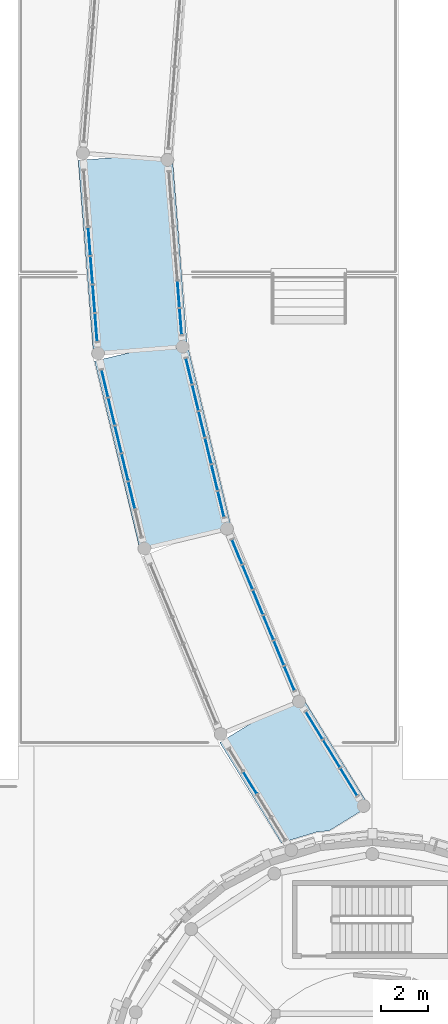
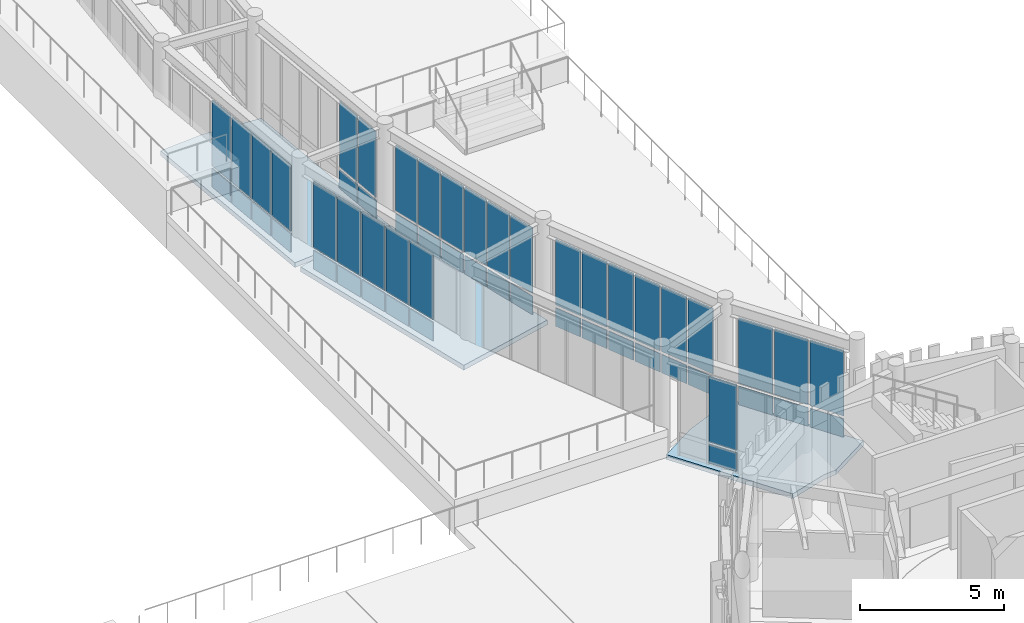
# One storey, part 41 of 94: 54 plates, 3 slabs, 7 elements without a shape of their own.
"""IFC4 building model written with IfcOpenShell, lengths in metres."""

from ifc_helpers import new_model, si_unit, direction, frame, origin, origin_2d, place, context, subcontext, project, spatial, polyline, rectangle, outline, extrude, material, layer, layer_set, type_object, element, aggregate, save


model = new_model("IFC4")

# Units and contexts
model_context = context("Model", 3, precision=1e-05, world=origin(), true_north=direction((0.0, 1.0)))
body_context = subcontext(model_context, "Body", "Model", "MODEL_VIEW")
ifc_project = project(units=[si_unit("LENGTHUNIT", "METRE"), si_unit("AREAUNIT", "SQUARE_METRE"), si_unit("VOLUMEUNIT", "CUBIC_METRE"), si_unit("PLANEANGLEUNIT", "RADIAN"), si_unit("MASSUNIT", "GRAM", prefix="KILO")], contexts=[model_context])

# Site, building, storey
site_placement = place(None, origin())
site = spatial("IfcSite", under=ifc_project, at=site_placement, CompositionType="ELEMENT")
building_placement = place(site_placement, origin())
building = spatial("IfcBuilding", under=site, at=building_placement, Name="Aldenvaro Health Centre", CompositionType="ELEMENT")
storey_placement = place(building_placement, origin())
storey = spatial("IfcBuildingStorey", under=building, at=storey_placement, Name="L00", CompositionType="ELEMENT", Elevation=0.0)

# Curtain wall, plates
ifc_material_1 = material(Name="Anodised Aluminium 6063-T6", Category="aluminium")
ifc_layer_1 = layer(ifc_material_1, 0.2099609375, Name="Anodised Aluminium 6063-T6", Category="aluminium")
ifc_layer_set_1 = layer_set([ifc_layer_1], Name="Anodised Aluminium 6063-T6")
curtain_wall_type = type_object("IfcCurtainWallType", Name="CW-BRG-03", PredefinedType="NOTDEFINED", material=ifc_layer_set_1)
curtain_wall_1_placement = place(storey_placement, origin())
curtain_wall_1 = element("IfcCurtainWall", 1, at=curtain_wall_1_placement, inside=storey, type_object=curtain_wall_type, Name="East Curved Garden Colonnade Arc 5 L00 glazed link wall L-1.1", PredefinedType="NOTDEFINED")
ifc_material_2 = material(Name="Low-E Double Glazing IGU", Category="glass")
ifc_layer_2 = layer(ifc_material_2, 0.028076171875, Name="Low-E Double Glazing IGU", Category="glass")
ifc_layer_set_2 = layer_set([ifc_layer_2], Name="Low-E Double Glazing IGU")
plate_type_1 = type_object("IfcPlateType", Name="CWP-IGU-28", PredefinedType="CURTAIN_PANEL", material=ifc_layer_set_2)
plate_1_placement = place(storey_placement, frame((146.264892578125, 53.157958984375, 0.96044921875), z_axis=(0.0, 0.0, 1.0), x_axis=(0.078496068737, -0.996914423204, 0.0)))
plate_1 = element("IfcPlate", 2, at=plate_1_placement, type_object=plate_type_1, Name="East Curved Garden Colonnade Arc 5 L00 glazed link wall L-1.1 vision glazing 5", PredefinedType="CURTAIN_PANEL", context=body_context, shape_type="SweptSolid", body=[
    extrude(rectangle(XDim=1.091064453125, YDim=0.028076171875, at=origin_2d()), origin(), (0.0, 0.0, 1.0), 2.784912109375),
])
plate_2_placement = place(storey_placement, frame((146.35595703125, 52.0, 0.96044921875), z_axis=(0.0, 0.0, 1.0), x_axis=(0.078496068737, -0.996914423204, 0.0)))
plate_2 = element("IfcPlate", 3, at=plate_2_placement, type_object=plate_type_1, Name="East Curved Garden Colonnade Arc 5 L00 glazed link wall L-1.1 vision glazing 6", PredefinedType="CURTAIN_PANEL", context=body_context, shape_type="SweptSolid", body=[
    extrude(rectangle(XDim=1.091064453125, YDim=0.028076171875, at=origin_2d()), origin(), (0.0, 0.0, 1.0), 2.784912109375),
])

curtain_wall_2_placement = place(storey_placement, origin())
curtain_wall_2 = element("IfcCurtainWall", 4, at=curtain_wall_2_placement, inside=storey, type_object=curtain_wall_type, Name="East Curved Garden Colonnade Arc 5 L00 glazed link wall R-1.1", PredefinedType="NOTDEFINED")
plate_3_placement = place(storey_placement, frame((142.47802734375, 55.39794921875, 0.96044921875), z_axis=(0.0, 0.0, 1.0), x_axis=(0.078513219666, -0.996913072608, 0.0)))
plate_3 = element("IfcPlate", 5, at=plate_3_placement, type_object=plate_type_1, Name="East Curved Garden Colonnade Arc 5 L00 glazed link wall R-1.1 vision glazing 3", PredefinedType="CURTAIN_PANEL", context=body_context, shape_type="SweptSolid", body=[
    extrude(rectangle(XDim=1.15087890625, YDim=0.028076171875, at=origin_2d()), origin(), (0.0, 0.0, 1.0), 2.784912109375),
])
plate_4_placement = place(storey_placement, frame((142.572998046875, 54.180908203125, 0.96044921875), z_axis=(0.0, 0.0, 1.0), x_axis=(0.078513219666, -0.996913072608, 0.0)))
plate_4 = element("IfcPlate", 6, at=plate_4_placement, type_object=plate_type_1, Name="East Curved Garden Colonnade Arc 5 L00 glazed link wall R-1.1 vision glazing 4", PredefinedType="CURTAIN_PANEL", context=body_context, shape_type="SweptSolid", body=[
    extrude(rectangle(XDim=1.15087890625, YDim=0.028076171875, at=origin_2d()), origin(), (0.0, 0.0, 1.0), 2.784912109375),
])
plate_5_placement = place(storey_placement, frame((142.6689453125, 52.964111328125, 0.96044921875), z_axis=(0.0, 0.0, 1.0), x_axis=(0.078513219666, -0.996913072608, 0.0)))
plate_5 = element("IfcPlate", 7, at=plate_5_placement, type_object=plate_type_1, Name="East Curved Garden Colonnade Arc 5 L00 glazed link wall R-1.1 vision glazing 5", PredefinedType="CURTAIN_PANEL", context=body_context, shape_type="SweptSolid", body=[
    extrude(rectangle(XDim=1.15087890625, YDim=0.028076171875, at=origin_2d()), origin(), (0.0, 0.0, 1.0), 2.784912109375),
])
plate_6_placement = place(storey_placement, frame((142.764892578125, 51.7470703125, 0.96044921875), z_axis=(0.0, 0.0, 1.0), x_axis=(0.078513219666, -0.996913072608, 0.0)))
plate_6 = element("IfcPlate", 8, at=plate_6_placement, type_object=plate_type_1, Name="East Curved Garden Colonnade Arc 5 L00 glazed link wall R-1.1 vision glazing 6", PredefinedType="CURTAIN_PANEL", context=body_context, shape_type="SweptSolid", body=[
    extrude(rectangle(XDim=1.15087890625, YDim=0.028076171875, at=origin_2d()), origin(), (0.0, 0.0, 1.0), 2.784912109375),
])

curtain_wall_3_placement = place(storey_placement, origin())
curtain_wall_3 = element("IfcCurtainWall", 9, at=curtain_wall_3_placement, inside=storey, type_object=curtain_wall_type, Name="East Curved Garden Colonnade Arc 6 L00 glazed link wall L-1.1", PredefinedType="NOTDEFINED")
plate_7_placement = place(storey_placement, frame((146.712890625, 49.887939453125, 0.96044921875), z_axis=(0.0, 0.0, 1.0), x_axis=(0.233644343129, -0.972322128167, 0.0)))
plate_7 = element("IfcPlate", 10, at=plate_7_placement, type_object=plate_type_1, Name="East Curved Garden Colonnade Arc 6 L00 glazed link wall L-1.1 vision glazing 1", PredefinedType="CURTAIN_PANEL", context=body_context, shape_type="SweptSolid", body=[
    extrude(rectangle(XDim=1.091064453125, YDim=0.028076171875, at=origin_2d()), origin(), (0.0, 0.0, 1.0), 2.784912109375),
])
plate_8_placement = place(storey_placement, frame((146.98388671875, 48.759033203125, 0.96044921875), z_axis=(0.0, 0.0, 1.0), x_axis=(0.233644343129, -0.972322128167, 0.0)))
plate_8 = element("IfcPlate", 11, at=plate_8_placement, type_object=plate_type_1, Name="East Curved Garden Colonnade Arc 6 L00 glazed link wall L-1.1 vision glazing 2", PredefinedType="CURTAIN_PANEL", context=body_context, shape_type="SweptSolid", body=[
    extrude(rectangle(XDim=1.091064453125, YDim=0.028076171875, at=origin_2d()), origin(), (0.0, 0.0, 1.0), 2.784912109375),
])
plate_9_placement = place(storey_placement, frame((147.2548828125, 47.6298828125, 0.96044921875), z_axis=(0.0, 0.0, 1.0), x_axis=(0.233644343129, -0.972322128167, 0.0)))
plate_9 = element("IfcPlate", 12, at=plate_9_placement, type_object=plate_type_1, Name="East Curved Garden Colonnade Arc 6 L00 glazed link wall L-1.1 vision glazing 3", PredefinedType="CURTAIN_PANEL", context=body_context, shape_type="SweptSolid", body=[
    extrude(rectangle(XDim=1.091064453125, YDim=0.028076171875, at=origin_2d()), origin(), (0.0, 0.0, 1.0), 2.784912109375),
])
plate_10_placement = place(storey_placement, frame((147.527099609375, 46.5009765625, 0.96044921875), z_axis=(0.0, 0.0, 1.0), x_axis=(0.233644343129, -0.972322128167, 0.0)))
plate_10 = element("IfcPlate", 13, at=plate_10_placement, type_object=plate_type_1, Name="East Curved Garden Colonnade Arc 6 L00 glazed link wall L-1.1 vision glazing 4", PredefinedType="CURTAIN_PANEL", context=body_context, shape_type="SweptSolid", body=[
    extrude(rectangle(XDim=1.091064453125, YDim=0.028076171875, at=origin_2d()), origin(), (0.0, 0.0, 1.0), 2.784912109375),
])
plate_11_placement = place(storey_placement, frame((147.798095703125, 45.3720703125, 0.96044921875), z_axis=(0.0, 0.0, 1.0), x_axis=(0.233644343129, -0.972322128167, 0.0)))
plate_11 = element("IfcPlate", 14, at=plate_11_placement, type_object=plate_type_1, Name="East Curved Garden Colonnade Arc 6 L00 glazed link wall L-1.1 vision glazing 5", PredefinedType="CURTAIN_PANEL", context=body_context, shape_type="SweptSolid", body=[
    extrude(rectangle(XDim=1.091064453125, YDim=0.028076171875, at=origin_2d()), origin(), (0.0, 0.0, 1.0), 2.784912109375),
])
plate_12_placement = place(storey_placement, frame((148.069091796875, 44.242919921875, 0.96044921875), z_axis=(0.0, 0.0, 1.0), x_axis=(0.233644343129, -0.972322128167, 0.0)))
plate_12 = element("IfcPlate", 15, at=plate_12_placement, type_object=plate_type_1, Name="East Curved Garden Colonnade Arc 6 L00 glazed link wall L-1.1 vision glazing 6", PredefinedType="CURTAIN_PANEL", context=body_context, shape_type="SweptSolid", body=[
    extrude(rectangle(XDim=1.091064453125, YDim=0.028076171875, at=origin_2d()), origin(), (0.0, 0.0, 1.0), 2.784912109375),
])

curtain_wall_4_placement = place(storey_placement, origin())
curtain_wall_4 = element("IfcCurtainWall", 16, at=curtain_wall_4_placement, inside=storey, type_object=curtain_wall_type, Name="East Curved Garden Colonnade Arc 6 L00 glazed link wall R-1.1", PredefinedType="NOTDEFINED")
plate_13_placement = place(storey_placement, frame((143.136962890625, 49.364990234375, 0.96044921875), z_axis=(0.0, 0.0, 1.0), x_axis=(0.233527903395, -0.972350100702, 0.0)))
plate_13 = element("IfcPlate", 17, at=plate_13_placement, type_object=plate_type_1, Name="East Curved Garden Colonnade Arc 6 L00 glazed link wall R-1.1 vision glazing 1", PredefinedType="CURTAIN_PANEL", context=body_context, shape_type="SweptSolid", body=[
    extrude(rectangle(XDim=1.14990234375, YDim=0.028076171875, at=origin_2d()), origin(), (0.0, 0.0, 1.0), 2.784912109375),
])
plate_14_placement = place(storey_placement, frame((143.422119140625, 48.177978515625, 0.96044921875), z_axis=(0.0, 0.0, 1.0), x_axis=(0.233527903395, -0.972350100702, 0.0)))
plate_14 = element("IfcPlate", 18, at=plate_14_placement, type_object=plate_type_1, Name="East Curved Garden Colonnade Arc 6 L00 glazed link wall R-1.1 vision glazing 2", PredefinedType="CURTAIN_PANEL", context=body_context, shape_type="SweptSolid", body=[
    extrude(rectangle(XDim=1.14990234375, YDim=0.028076171875, at=origin_2d()), origin(), (0.0, 0.0, 1.0), 2.784912109375),
])
plate_15_placement = place(storey_placement, frame((143.70703125, 46.990966796875, 0.96044921875), z_axis=(0.0, 0.0, 1.0), x_axis=(0.233527903395, -0.972350100702, 0.0)))
plate_15 = element("IfcPlate", 19, at=plate_15_placement, type_object=plate_type_1, Name="East Curved Garden Colonnade Arc 6 L00 glazed link wall R-1.1 vision glazing 3", PredefinedType="CURTAIN_PANEL", context=body_context, shape_type="SweptSolid", body=[
    extrude(rectangle(XDim=1.14990234375, YDim=0.028076171875, at=origin_2d()), origin(), (0.0, 0.0, 1.0), 2.784912109375),
])
plate_16_placement = place(storey_placement, frame((143.991943359375, 45.804931640625, 0.96044921875), z_axis=(0.0, 0.0, 1.0), x_axis=(0.233527903395, -0.972350100702, 0.0)))
plate_16 = element("IfcPlate", 20, at=plate_16_placement, type_object=plate_type_1, Name="East Curved Garden Colonnade Arc 6 L00 glazed link wall R-1.1 vision glazing 4", PredefinedType="CURTAIN_PANEL", context=body_context, shape_type="SweptSolid", body=[
    extrude(rectangle(XDim=1.14990234375, YDim=0.028076171875, at=origin_2d()), origin(), (0.0, 0.0, 1.0), 2.784912109375),
])
plate_17_placement = place(storey_placement, frame((144.27587890625, 44.617919921875, 0.96044921875), z_axis=(0.0, 0.0, 1.0), x_axis=(0.233527903395, -0.972350100702, 0.0)))
plate_17 = element("IfcPlate", 21, at=plate_17_placement, type_object=plate_type_1, Name="East Curved Garden Colonnade Arc 6 L00 glazed link wall R-1.1 vision glazing 5", PredefinedType="CURTAIN_PANEL", context=body_context, shape_type="SweptSolid", body=[
    extrude(rectangle(XDim=1.14990234375, YDim=0.028076171875, at=origin_2d()), origin(), (0.0, 0.0, 1.0), 2.784912109375),
])

curtain_wall_5_placement = place(storey_placement, origin())
curtain_wall_5 = element("IfcCurtainWall", 22, at=curtain_wall_5_placement, inside=storey, type_object=curtain_wall_type, Name="East Curved Garden Colonnade Arc 7 L00 glazed link wall L-1.1", PredefinedType="NOTDEFINED")
plate_18_placement = place(storey_placement, frame((148.751953125, 42.212890625, 0.96044921875), z_axis=(0.0, 0.0, 1.0), x_axis=(0.382596838462, -0.923915396126, 0.0)))
plate_18 = element("IfcPlate", 23, at=plate_18_placement, type_object=plate_type_1, Name="East Curved Garden Colonnade Arc 7 L00 glazed link wall L-1.1 vision glazing 1", PredefinedType="CURTAIN_PANEL", context=body_context, shape_type="SweptSolid", body=[
    extrude(rectangle(XDim=1.091064453125, YDim=0.028076171875, at=origin_2d()), origin(), (0.0, 0.0, 1.0), 2.784912109375),
])
plate_19_placement = place(storey_placement, frame((149.197021484375, 41.138916015625, 0.96044921875), z_axis=(0.0, 0.0, 1.0), x_axis=(0.382596838462, -0.923915396126, 0.0)))
plate_19 = element("IfcPlate", 24, at=plate_19_placement, type_object=plate_type_1, Name="East Curved Garden Colonnade Arc 7 L00 glazed link wall L-1.1 vision glazing 2", PredefinedType="CURTAIN_PANEL", context=body_context, shape_type="SweptSolid", body=[
    extrude(rectangle(XDim=1.091064453125, YDim=0.028076171875, at=origin_2d()), origin(), (0.0, 0.0, 1.0), 2.784912109375),
])
plate_20_placement = place(storey_placement, frame((149.64111328125, 40.06689453125, 0.96044921875), z_axis=(0.0, 0.0, 1.0), x_axis=(0.382596838462, -0.923915396126, 0.0)))
plate_20 = element("IfcPlate", 25, at=plate_20_placement, type_object=plate_type_1, Name="East Curved Garden Colonnade Arc 7 L00 glazed link wall L-1.1 vision glazing 3", PredefinedType="CURTAIN_PANEL", context=body_context, shape_type="SweptSolid", body=[
    extrude(rectangle(XDim=1.091064453125, YDim=0.028076171875, at=origin_2d()), origin(), (0.0, 0.0, 1.0), 2.784912109375),
])
plate_21_placement = place(storey_placement, frame((150.0849609375, 38.992919921875, 0.96044921875), z_axis=(0.0, 0.0, 1.0), x_axis=(0.382596838462, -0.923915396126, 0.0)))
plate_21 = element("IfcPlate", 26, at=plate_21_placement, type_object=plate_type_1, Name="East Curved Garden Colonnade Arc 7 L00 glazed link wall L-1.1 vision glazing 4", PredefinedType="CURTAIN_PANEL", context=body_context, shape_type="SweptSolid", body=[
    extrude(rectangle(XDim=1.091064453125, YDim=0.028076171875, at=origin_2d()), origin(), (0.0, 0.0, 1.0), 2.784912109375),
])
plate_22_placement = place(storey_placement, frame((150.529052734375, 37.9208984375, 0.96044921875), z_axis=(0.0, 0.0, 1.0), x_axis=(0.382596838462, -0.923915396126, 0.0)))
plate_22 = element("IfcPlate", 27, at=plate_22_placement, type_object=plate_type_1, Name="East Curved Garden Colonnade Arc 7 L00 glazed link wall L-1.1 vision glazing 5", PredefinedType="CURTAIN_PANEL", context=body_context, shape_type="SweptSolid", body=[
    extrude(rectangle(XDim=1.091064453125, YDim=0.028076171875, at=origin_2d()), origin(), (0.0, 0.0, 1.0), 2.784912109375),
])
plate_23_placement = place(storey_placement, frame((150.97412109375, 36.846923828125, 0.96044921875), z_axis=(0.0, 0.0, 1.0), x_axis=(0.382596838462, -0.923915396126, 0.0)))
plate_23 = element("IfcPlate", 28, at=plate_23_placement, type_object=plate_type_1, Name="East Curved Garden Colonnade Arc 7 L00 glazed link wall L-1.1 vision glazing 6", PredefinedType="CURTAIN_PANEL", context=body_context, shape_type="SweptSolid", body=[
    extrude(rectangle(XDim=1.091064453125, YDim=0.028076171875, at=origin_2d()), origin(), (0.0, 0.0, 1.0), 2.784912109375),
])

curtain_wall_6_placement = place(storey_placement, origin())
curtain_wall_6 = element("IfcCurtainWall", 29, at=curtain_wall_6_placement, inside=storey, type_object=curtain_wall_type, Name="East Curved Garden Colonnade Arc 8 L00 glazed link wall L-1.1", PredefinedType="NOTDEFINED")
plate_24_placement = place(storey_placement, frame((152.030029296875, 34.844970703125, 0.96044921875), z_axis=(0.0, 0.0, 1.0), x_axis=(0.522628751784, -0.852560371944, 0.0)))
plate_24 = element("IfcPlate", 30, at=plate_24_placement, type_object=plate_type_1, Name="East Curved Garden Colonnade Arc 8 L00 glazed link wall L-1.1 vision glazing 1", PredefinedType="CURTAIN_PANEL", context=body_context, shape_type="SweptSolid", body=[
    extrude(rectangle(XDim=1.3359375, YDim=0.028076171875, at=origin_2d()), origin(), (0.0, 0.0, 1.0), 2.784912109375),
])
plate_25_placement = place(storey_placement, frame((152.763916015625, 33.64501953125, 0.96044921875), z_axis=(0.0, 0.0, 1.0), x_axis=(0.522628751784, -0.852560371944, 0.0)))
plate_25 = element("IfcPlate", 31, at=plate_25_placement, type_object=plate_type_1, Name="East Curved Garden Colonnade Arc 8 L00 glazed link wall L-1.1 vision glazing 2", PredefinedType="CURTAIN_PANEL", context=body_context, shape_type="SweptSolid", body=[
    extrude(rectangle(XDim=1.3359375, YDim=0.028076171875, at=origin_2d()), origin(), (0.0, 0.0, 1.0), 2.784912109375),
])
plate_26_placement = place(storey_placement, frame((153.4990234375, 32.447021484375, 0.96044921875), z_axis=(0.0, 0.0, 1.0), x_axis=(0.522628751784, -0.852560371944, 0.0)))
plate_26 = element("IfcPlate", 32, at=plate_26_placement, type_object=plate_type_1, Name="East Curved Garden Colonnade Arc 8 L00 glazed link wall L-1.1 vision glazing 3", PredefinedType="CURTAIN_PANEL", context=body_context, shape_type="SweptSolid", body=[
    extrude(rectangle(XDim=1.3359375, YDim=0.028076171875, at=origin_2d()), origin(), (0.0, 0.0, 1.0), 2.784912109375),
])

# Curtain wall, plate
curtain_wall_7_placement = place(storey_placement, origin())
curtain_wall_7 = element("IfcCurtainWall", 33, at=curtain_wall_7_placement, inside=storey, type_object=curtain_wall_type, Name="East Curved Garden Colonnade Arc 8 L00 glazed link wall R-1.1", PredefinedType="NOTDEFINED")
plate_27_placement = place(storey_placement, frame((149.303955078125, 32.404052734375, 0.96044921875), z_axis=(0.0, 0.0, 1.0), x_axis=(0.522669699607, -0.852535269131, 0.0)))
plate_27 = element("IfcPlate", 34, at=plate_27_placement, type_object=plate_type_1, Name="East Curved Garden Colonnade Arc 8 L00 glazed link wall R-1.1 vision glazing 2", PredefinedType="CURTAIN_PANEL", context=body_context, shape_type="SweptSolid", body=[
    extrude(rectangle(XDim=1.073974609375, YDim=0.028076171875, at=origin_2d()), origin(), (0.0, 0.0, 1.0), 2.784912109375),
])

# Plate
ifc_material_3 = material(Name="Insulated Aluminium Spandrel", Category="aluminium")
ifc_layer_3 = layer(ifc_material_3, 0.035888671875, Name="Insulated Aluminium Spandrel", Category="aluminium")
ifc_layer_set_3 = layer_set([ifc_layer_3], Name="Insulated Aluminium Spandrel")
plate_type_2 = type_object("IfcPlateType", Name="CWP-SPN-36", PredefinedType="CURTAIN_PANEL", material=ifc_layer_set_3)
plate_28_placement = place(storey_placement, frame((146.264892578125, 53.157958984375, 0.06005859375), z_axis=(0.0, 0.0, 1.0), x_axis=(0.078496068737, -0.996914423204, 0.0)))
plate_28 = element("IfcPlate", 35, at=plate_28_placement, type_object=plate_type_2, Name="East Curved Garden Colonnade Arc 5 L00 glazed link wall L-1.1 spandrel panel 5", PredefinedType="CURTAIN_PANEL", context=body_context, shape_type="SweptSolid", body=[
    extrude(rectangle(XDim=1.091064453125, YDim=0.035888671875, at=origin_2d()), origin(), (0.0, 0.0, 1.0), 0.780029296875),
])

plate_29_placement = place(storey_placement, frame((146.35595703125, 52.0, 0.06005859375), z_axis=(0.0, 0.0, 1.0), x_axis=(0.078496068737, -0.996914423204, 0.0)))
plate_29 = element("IfcPlate", 36, at=plate_29_placement, type_object=plate_type_2, Name="East Curved Garden Colonnade Arc 5 L00 glazed link wall L-1.1 spandrel panel 6", PredefinedType="CURTAIN_PANEL", context=body_context, shape_type="SweptSolid", body=[
    extrude(rectangle(XDim=1.091064453125, YDim=0.035888671875, at=origin_2d()), origin(), (0.0, 0.0, 1.0), 0.780029296875),
])

aggregate(curtain_wall_1, [plate_28, plate_1, plate_29, plate_2])

plate_30_placement = place(storey_placement, frame((142.47802734375, 55.39794921875, 0.06005859375), z_axis=(0.0, 0.0, 1.0), x_axis=(0.078513219666, -0.996913072608, 0.0)))
plate_30 = element("IfcPlate", 37, at=plate_30_placement, type_object=plate_type_2, Name="East Curved Garden Colonnade Arc 5 L00 glazed link wall R-1.1 spandrel panel 3", PredefinedType="CURTAIN_PANEL", context=body_context, shape_type="SweptSolid", body=[
    extrude(rectangle(XDim=1.15087890625, YDim=0.035888671875, at=origin_2d()), origin(), (0.0, 0.0, 1.0), 0.780029296875),
])

plate_31_placement = place(storey_placement, frame((142.572998046875, 54.180908203125, 0.06005859375), z_axis=(0.0, 0.0, 1.0), x_axis=(0.078513219666, -0.996913072608, 0.0)))
plate_31 = element("IfcPlate", 38, at=plate_31_placement, type_object=plate_type_2, Name="East Curved Garden Colonnade Arc 5 L00 glazed link wall R-1.1 spandrel panel 4", PredefinedType="CURTAIN_PANEL", context=body_context, shape_type="SweptSolid", body=[
    extrude(rectangle(XDim=1.15087890625, YDim=0.035888671875, at=origin_2d()), origin(), (0.0, 0.0, 1.0), 0.780029296875),
])

plate_32_placement = place(storey_placement, frame((142.6689453125, 52.964111328125, 0.06005859375), z_axis=(0.0, 0.0, 1.0), x_axis=(0.078513219666, -0.996913072608, 0.0)))
plate_32 = element("IfcPlate", 39, at=plate_32_placement, type_object=plate_type_2, Name="East Curved Garden Colonnade Arc 5 L00 glazed link wall R-1.1 spandrel panel 5", PredefinedType="CURTAIN_PANEL", context=body_context, shape_type="SweptSolid", body=[
    extrude(rectangle(XDim=1.15087890625, YDim=0.035888671875, at=origin_2d()), origin(), (0.0, 0.0, 1.0), 0.780029296875),
])

plate_33_placement = place(storey_placement, frame((142.764892578125, 51.7470703125, 0.06005859375), z_axis=(0.0, 0.0, 1.0), x_axis=(0.078513219666, -0.996913072608, 0.0)))
plate_33 = element("IfcPlate", 40, at=plate_33_placement, type_object=plate_type_2, Name="East Curved Garden Colonnade Arc 5 L00 glazed link wall R-1.1 spandrel panel 6", PredefinedType="CURTAIN_PANEL", context=body_context, shape_type="SweptSolid", body=[
    extrude(rectangle(XDim=1.15087890625, YDim=0.035888671875, at=origin_2d()), origin(), (0.0, 0.0, 1.0), 0.780029296875),
])

aggregate(curtain_wall_2, [plate_30, plate_3, plate_31, plate_4, plate_32, plate_5, plate_33, plate_6])

plate_34_placement = place(storey_placement, frame((146.712890625, 49.887939453125, 0.06005859375), z_axis=(0.0, 0.0, 1.0), x_axis=(0.233644343129, -0.972322128167, 0.0)))
plate_34 = element("IfcPlate", 41, at=plate_34_placement, type_object=plate_type_2, Name="East Curved Garden Colonnade Arc 6 L00 glazed link wall L-1.1 spandrel panel 1", PredefinedType="CURTAIN_PANEL", context=body_context, shape_type="SweptSolid", body=[
    extrude(rectangle(XDim=1.091064453125, YDim=0.035888671875, at=origin_2d()), origin(), (0.0, 0.0, 1.0), 0.780029296875),
])

plate_35_placement = place(storey_placement, frame((146.98388671875, 48.759033203125, 0.06005859375), z_axis=(0.0, 0.0, 1.0), x_axis=(0.233644343129, -0.972322128167, 0.0)))
plate_35 = element("IfcPlate", 42, at=plate_35_placement, type_object=plate_type_2, Name="East Curved Garden Colonnade Arc 6 L00 glazed link wall L-1.1 spandrel panel 2", PredefinedType="CURTAIN_PANEL", context=body_context, shape_type="SweptSolid", body=[
    extrude(rectangle(XDim=1.091064453125, YDim=0.035888671875, at=origin_2d()), origin(), (0.0, 0.0, 1.0), 0.780029296875),
])

plate_36_placement = place(storey_placement, frame((147.2548828125, 47.6298828125, 0.06005859375), z_axis=(0.0, 0.0, 1.0), x_axis=(0.233644343129, -0.972322128167, 0.0)))
plate_36 = element("IfcPlate", 43, at=plate_36_placement, type_object=plate_type_2, Name="East Curved Garden Colonnade Arc 6 L00 glazed link wall L-1.1 spandrel panel 3", PredefinedType="CURTAIN_PANEL", context=body_context, shape_type="SweptSolid", body=[
    extrude(rectangle(XDim=1.091064453125, YDim=0.035888671875, at=origin_2d()), origin(), (0.0, 0.0, 1.0), 0.780029296875),
])

plate_37_placement = place(storey_placement, frame((147.527099609375, 46.5009765625, 0.06005859375), z_axis=(0.0, 0.0, 1.0), x_axis=(0.233644343129, -0.972322128167, 0.0)))
plate_37 = element("IfcPlate", 44, at=plate_37_placement, type_object=plate_type_2, Name="East Curved Garden Colonnade Arc 6 L00 glazed link wall L-1.1 spandrel panel 4", PredefinedType="CURTAIN_PANEL", context=body_context, shape_type="SweptSolid", body=[
    extrude(rectangle(XDim=1.091064453125, YDim=0.035888671875, at=origin_2d()), origin(), (0.0, 0.0, 1.0), 0.780029296875),
])

plate_38_placement = place(storey_placement, frame((147.798095703125, 45.3720703125, 0.06005859375), z_axis=(0.0, 0.0, 1.0), x_axis=(0.233644343129, -0.972322128167, 0.0)))
plate_38 = element("IfcPlate", 45, at=plate_38_placement, type_object=plate_type_2, Name="East Curved Garden Colonnade Arc 6 L00 glazed link wall L-1.1 spandrel panel 5", PredefinedType="CURTAIN_PANEL", context=body_context, shape_type="SweptSolid", body=[
    extrude(rectangle(XDim=1.091064453125, YDim=0.035888671875, at=origin_2d()), origin(), (0.0, 0.0, 1.0), 0.780029296875),
])

plate_39_placement = place(storey_placement, frame((148.069091796875, 44.242919921875, 0.06005859375), z_axis=(0.0, 0.0, 1.0), x_axis=(0.233644343129, -0.972322128167, 0.0)))
plate_39 = element("IfcPlate", 46, at=plate_39_placement, type_object=plate_type_2, Name="East Curved Garden Colonnade Arc 6 L00 glazed link wall L-1.1 spandrel panel 6", PredefinedType="CURTAIN_PANEL", context=body_context, shape_type="SweptSolid", body=[
    extrude(rectangle(XDim=1.091064453125, YDim=0.035888671875, at=origin_2d()), origin(), (0.0, 0.0, 1.0), 0.780029296875),
])

aggregate(curtain_wall_3, [plate_34, plate_7, plate_35, plate_8, plate_36, plate_9, plate_37, plate_10, plate_38, plate_11, plate_39, plate_12])

plate_40_placement = place(storey_placement, frame((143.136962890625, 49.364990234375, 0.06005859375), z_axis=(0.0, 0.0, 1.0), x_axis=(0.233527903395, -0.972350100702, 0.0)))
plate_40 = element("IfcPlate", 47, at=plate_40_placement, type_object=plate_type_2, Name="East Curved Garden Colonnade Arc 6 L00 glazed link wall R-1.1 spandrel panel 1", PredefinedType="CURTAIN_PANEL", context=body_context, shape_type="SweptSolid", body=[
    extrude(rectangle(XDim=1.14990234375, YDim=0.035888671875, at=origin_2d()), origin(), (0.0, 0.0, 1.0), 0.780029296875),
])

plate_41_placement = place(storey_placement, frame((143.422119140625, 48.177978515625, 0.06005859375), z_axis=(0.0, 0.0, 1.0), x_axis=(0.233527903395, -0.972350100702, 0.0)))
plate_41 = element("IfcPlate", 48, at=plate_41_placement, type_object=plate_type_2, Name="East Curved Garden Colonnade Arc 6 L00 glazed link wall R-1.1 spandrel panel 2", PredefinedType="CURTAIN_PANEL", context=body_context, shape_type="SweptSolid", body=[
    extrude(rectangle(XDim=1.14990234375, YDim=0.035888671875, at=origin_2d()), origin(), (0.0, 0.0, 1.0), 0.780029296875),
])

plate_42_placement = place(storey_placement, frame((143.70703125, 46.990966796875, 0.06005859375), z_axis=(0.0, 0.0, 1.0), x_axis=(0.233527903395, -0.972350100702, 0.0)))
plate_42 = element("IfcPlate", 49, at=plate_42_placement, type_object=plate_type_2, Name="East Curved Garden Colonnade Arc 6 L00 glazed link wall R-1.1 spandrel panel 3", PredefinedType="CURTAIN_PANEL", context=body_context, shape_type="SweptSolid", body=[
    extrude(rectangle(XDim=1.14990234375, YDim=0.035888671875, at=origin_2d()), origin(), (0.0, 0.0, 1.0), 0.780029296875),
])

plate_43_placement = place(storey_placement, frame((143.991943359375, 45.804931640625, 0.06005859375), z_axis=(0.0, 0.0, 1.0), x_axis=(0.233527903395, -0.972350100702, 0.0)))
plate_43 = element("IfcPlate", 50, at=plate_43_placement, type_object=plate_type_2, Name="East Curved Garden Colonnade Arc 6 L00 glazed link wall R-1.1 spandrel panel 4", PredefinedType="CURTAIN_PANEL", context=body_context, shape_type="SweptSolid", body=[
    extrude(rectangle(XDim=1.14990234375, YDim=0.035888671875, at=origin_2d()), origin(), (0.0, 0.0, 1.0), 0.780029296875),
])

plate_44_placement = place(storey_placement, frame((144.27587890625, 44.617919921875, 0.06005859375), z_axis=(0.0, 0.0, 1.0), x_axis=(0.233527903395, -0.972350100702, 0.0)))
plate_44 = element("IfcPlate", 51, at=plate_44_placement, type_object=plate_type_2, Name="East Curved Garden Colonnade Arc 6 L00 glazed link wall R-1.1 spandrel panel 5", PredefinedType="CURTAIN_PANEL", context=body_context, shape_type="SweptSolid", body=[
    extrude(rectangle(XDim=1.14990234375, YDim=0.035888671875, at=origin_2d()), origin(), (0.0, 0.0, 1.0), 0.780029296875),
])

aggregate(curtain_wall_4, [plate_40, plate_13, plate_41, plate_14, plate_42, plate_15, plate_43, plate_16, plate_44, plate_17])

plate_45_placement = place(storey_placement, frame((148.751953125, 42.212890625, 0.06005859375), z_axis=(0.0, 0.0, 1.0), x_axis=(0.382596838462, -0.923915396126, 0.0)))
plate_45 = element("IfcPlate", 52, at=plate_45_placement, type_object=plate_type_2, Name="East Curved Garden Colonnade Arc 7 L00 glazed link wall L-1.1 spandrel panel 1", PredefinedType="CURTAIN_PANEL", context=body_context, shape_type="SweptSolid", body=[
    extrude(rectangle(XDim=1.091064453125, YDim=0.035888671875, at=origin_2d()), origin(), (0.0, 0.0, 1.0), 0.780029296875),
])

plate_46_placement = place(storey_placement, frame((149.197021484375, 41.138916015625, 0.06005859375), z_axis=(0.0, 0.0, 1.0), x_axis=(0.382596838462, -0.923915396126, 0.0)))
plate_46 = element("IfcPlate", 53, at=plate_46_placement, type_object=plate_type_2, Name="East Curved Garden Colonnade Arc 7 L00 glazed link wall L-1.1 spandrel panel 2", PredefinedType="CURTAIN_PANEL", context=body_context, shape_type="SweptSolid", body=[
    extrude(rectangle(XDim=1.091064453125, YDim=0.035888671875, at=origin_2d()), origin(), (0.0, 0.0, 1.0), 0.780029296875),
])

plate_47_placement = place(storey_placement, frame((149.64111328125, 40.06689453125, 0.06005859375), z_axis=(0.0, 0.0, 1.0), x_axis=(0.382596838462, -0.923915396126, 0.0)))
plate_47 = element("IfcPlate", 54, at=plate_47_placement, type_object=plate_type_2, Name="East Curved Garden Colonnade Arc 7 L00 glazed link wall L-1.1 spandrel panel 3", PredefinedType="CURTAIN_PANEL", context=body_context, shape_type="SweptSolid", body=[
    extrude(rectangle(XDim=1.091064453125, YDim=0.035888671875, at=origin_2d()), origin(), (0.0, 0.0, 1.0), 0.780029296875),
])

plate_48_placement = place(storey_placement, frame((150.0849609375, 38.992919921875, 0.06005859375), z_axis=(0.0, 0.0, 1.0), x_axis=(0.382596838462, -0.923915396126, 0.0)))
plate_48 = element("IfcPlate", 55, at=plate_48_placement, type_object=plate_type_2, Name="East Curved Garden Colonnade Arc 7 L00 glazed link wall L-1.1 spandrel panel 4", PredefinedType="CURTAIN_PANEL", context=body_context, shape_type="SweptSolid", body=[
    extrude(rectangle(XDim=1.091064453125, YDim=0.035888671875, at=origin_2d()), origin(), (0.0, 0.0, 1.0), 0.780029296875),
])

plate_49_placement = place(storey_placement, frame((150.529052734375, 37.9208984375, 0.06005859375), z_axis=(0.0, 0.0, 1.0), x_axis=(0.382596838462, -0.923915396126, 0.0)))
plate_49 = element("IfcPlate", 56, at=plate_49_placement, type_object=plate_type_2, Name="East Curved Garden Colonnade Arc 7 L00 glazed link wall L-1.1 spandrel panel 5", PredefinedType="CURTAIN_PANEL", context=body_context, shape_type="SweptSolid", body=[
    extrude(rectangle(XDim=1.091064453125, YDim=0.035888671875, at=origin_2d()), origin(), (0.0, 0.0, 1.0), 0.780029296875),
])

plate_50_placement = place(storey_placement, frame((150.97412109375, 36.846923828125, 0.06005859375), z_axis=(0.0, 0.0, 1.0), x_axis=(0.382596838462, -0.923915396126, 0.0)))
plate_50 = element("IfcPlate", 57, at=plate_50_placement, type_object=plate_type_2, Name="East Curved Garden Colonnade Arc 7 L00 glazed link wall L-1.1 spandrel panel 6", PredefinedType="CURTAIN_PANEL", context=body_context, shape_type="SweptSolid", body=[
    extrude(rectangle(XDim=1.091064453125, YDim=0.035888671875, at=origin_2d()), origin(), (0.0, 0.0, 1.0), 0.780029296875),
])

aggregate(curtain_wall_5, [plate_45, plate_18, plate_46, plate_19, plate_47, plate_20, plate_48, plate_21, plate_49, plate_22, plate_50, plate_23])

plate_51_placement = place(storey_placement, frame((152.030029296875, 34.844970703125, 0.06005859375), z_axis=(0.0, 0.0, 1.0), x_axis=(0.522628751784, -0.852560371944, 0.0)))
plate_51 = element("IfcPlate", 58, at=plate_51_placement, type_object=plate_type_2, Name="East Curved Garden Colonnade Arc 8 L00 glazed link wall L-1.1 spandrel panel 1", PredefinedType="CURTAIN_PANEL", context=body_context, shape_type="SweptSolid", body=[
    extrude(rectangle(XDim=1.3359375, YDim=0.035888671875, at=origin_2d()), origin(), (0.0, 0.0, 1.0), 0.780029296875),
])

plate_52_placement = place(storey_placement, frame((152.763916015625, 33.64501953125, 0.06005859375), z_axis=(0.0, 0.0, 1.0), x_axis=(0.522628751784, -0.852560371944, 0.0)))
plate_52 = element("IfcPlate", 59, at=plate_52_placement, type_object=plate_type_2, Name="East Curved Garden Colonnade Arc 8 L00 glazed link wall L-1.1 spandrel panel 2", PredefinedType="CURTAIN_PANEL", context=body_context, shape_type="SweptSolid", body=[
    extrude(rectangle(XDim=1.3359375, YDim=0.035888671875, at=origin_2d()), origin(), (0.0, 0.0, 1.0), 0.780029296875),
])

plate_53_placement = place(storey_placement, frame((153.4990234375, 32.447021484375, 0.06005859375), z_axis=(0.0, 0.0, 1.0), x_axis=(0.522628751784, -0.852560371944, 0.0)))
plate_53 = element("IfcPlate", 60, at=plate_53_placement, type_object=plate_type_2, Name="East Curved Garden Colonnade Arc 8 L00 glazed link wall L-1.1 spandrel panel 3", PredefinedType="CURTAIN_PANEL", context=body_context, shape_type="SweptSolid", body=[
    extrude(rectangle(XDim=1.3359375, YDim=0.035888671875, at=origin_2d()), origin(), (0.0, 0.0, 1.0), 0.780029296875),
])

aggregate(curtain_wall_6, [plate_51, plate_24, plate_52, plate_25, plate_53, plate_26])

plate_54_placement = place(storey_placement, frame((149.303955078125, 32.404052734375, 0.06005859375), z_axis=(0.0, 0.0, 1.0), x_axis=(0.522669699607, -0.852535269131, 0.0)))
plate_54 = element("IfcPlate", 61, at=plate_54_placement, type_object=plate_type_2, Name="East Curved Garden Colonnade Arc 8 L00 glazed link wall R-1.1 spandrel panel 2", PredefinedType="CURTAIN_PANEL", context=body_context, shape_type="SweptSolid", body=[
    extrude(rectangle(XDim=1.073974609375, YDim=0.035888671875, at=origin_2d()), origin(), (0.0, 0.0, 1.0), 0.780029296875),
])

aggregate(curtain_wall_7, [plate_54, plate_27])

# Slabs
ifc_material_4 = material(Name="Cross-laminated timber CLT E1", Category="wood")
ifc_layer_4 = layer(ifc_material_4, 0.205078125, Name="Cross-laminated timber CLT E1", Category="wood")
ifc_layer_set_4 = layer_set([ifc_layer_4], Name="Cross-laminated timber CLT E1")
slab_type = type_object("IfcSlabType", Name="SLB-CLT-205", PredefinedType="FLOOR", material=ifc_layer_set_4)
slab_1_placement = place(storey_placement, frame((0.0, 0.0, -0.205078125)))
element("IfcSlab", 62, at=slab_1_placement, inside=storey, type_object=slab_type, Name="East Curved Garden Colonnade Arc 5 L00 deck slab", PredefinedType="FLOOR", context=body_context, shape_type="SweptSolid", body=[
    extrude(outline(polyline([(146.639892578125, 50.944091796875), (142.652099609375, 50.6298828125), (142.006103515625, 58.843017578125), (143.7451171875, 58.97998046875), (146.02197265625, 58.801025390625), (146.639892578125, 50.944091796875)])), origin(), (0.0, 0.0, 1.0), 0.205078125),
])
slab_2_placement = place(storey_placement, frame((0.0, 0.0, -0.205078125)))
element("IfcSlab", 63, at=slab_2_placement, inside=storey, type_object=slab_type, Name="East Curved Garden Colonnade Arc 6 L00 deck slab", PredefinedType="FLOOR", context=body_context, shape_type="SweptSolid", body=[
    extrude(outline(polyline([(148.514892578125, 43.243896484375), (144.625, 42.31005859375), (142.700927734375, 50.320068359375), (144.39697265625, 50.72705078125), (146.674072265625, 50.906982421875), (148.514892578125, 43.243896484375)])), origin(), (0.0, 0.0, 1.0), 0.205078125),
])
slab_3_placement = place(storey_placement, frame((0.0, 0.0, -0.205078125)))
element("IfcSlab", 64, at=slab_3_placement, inside=storey, type_object=slab_type, Name="East Curved Garden Colonnade Arc 8 L00 deck slab", PredefinedType="FLOOR", context=body_context, shape_type="SweptSolid", body=[
    extrude(outline(polyline([(148.01708984375, 34.1201171875), (149.50390625, 35.031982421875), (151.614013671875, 35.905029296875), (154.366943359375, 31.4140625), (152.662109375, 30.368896484375), (152.14892578125, 30.318115234375), (150.62890625, 29.85693359375), (148.01708984375, 34.1201171875)])), origin(), (0.0, 0.0, 1.0), 0.205078125),
])

save(model, "model.ifc")
